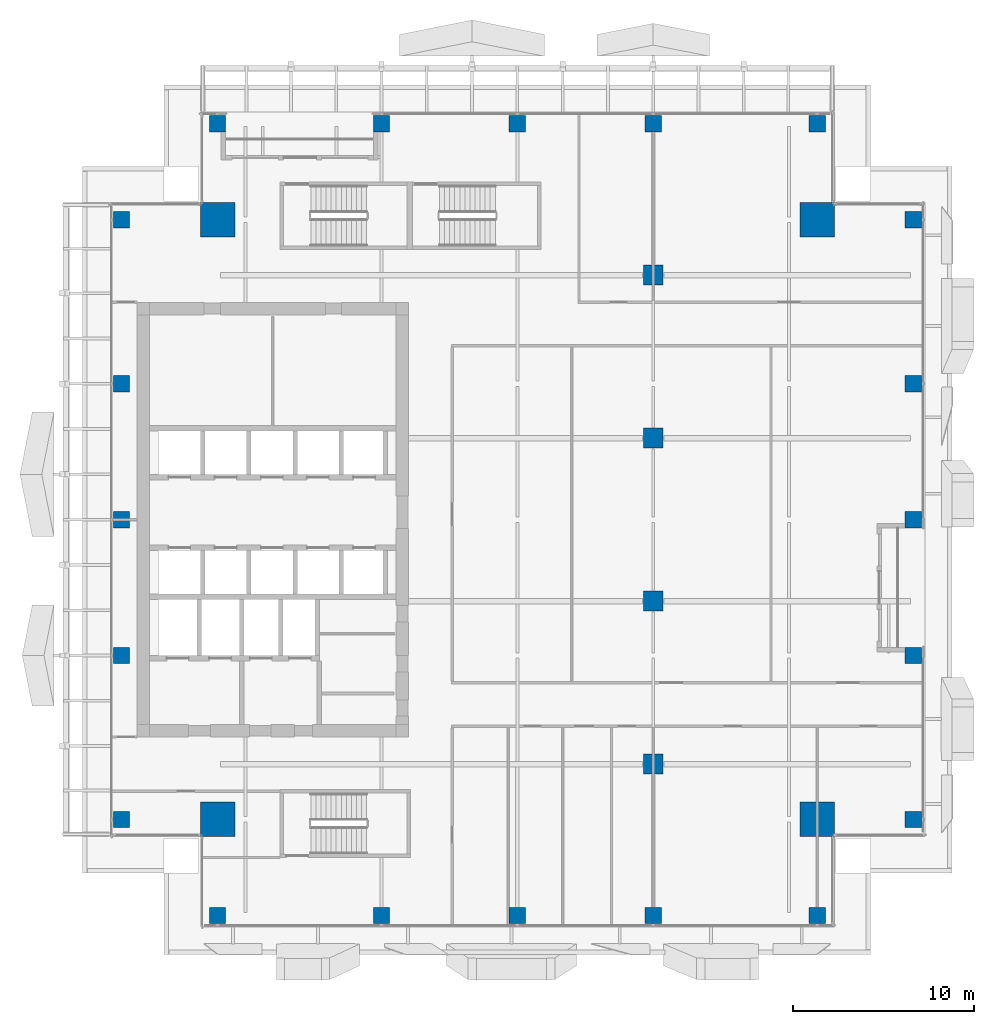
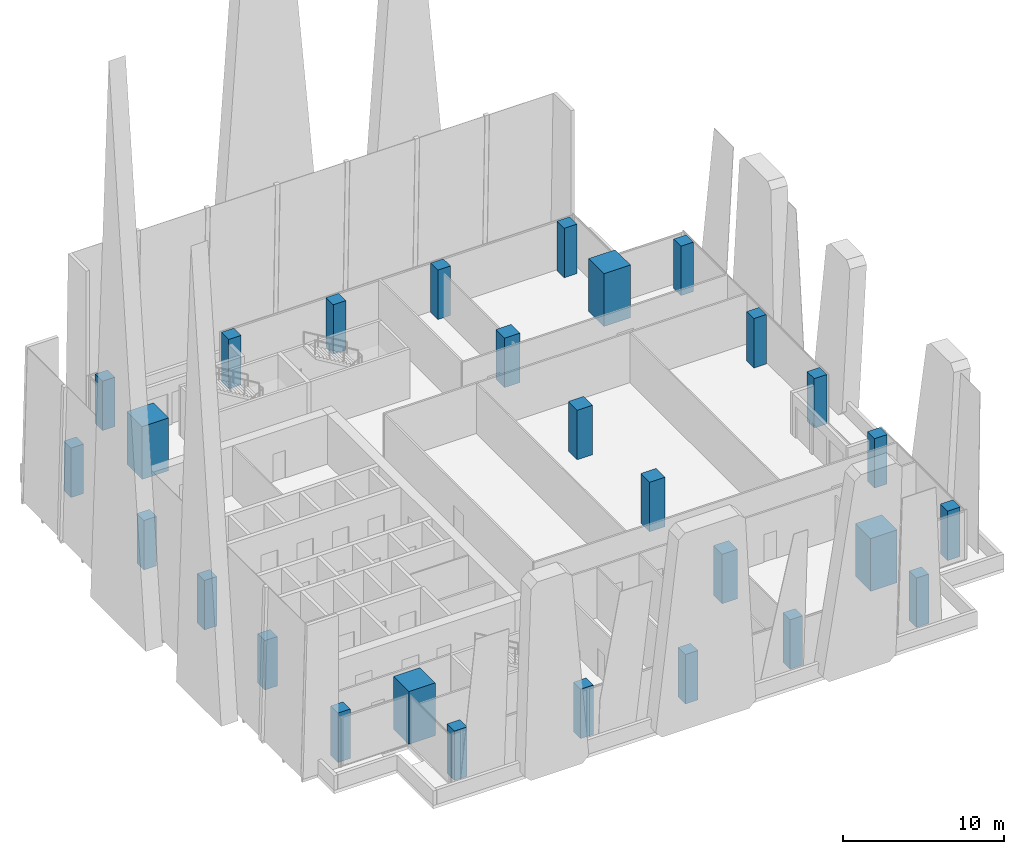
# One storey, part 1 of 33: 28 columns.
"""IFC4 building model written with IfcOpenShell, lengths in metres."""

from ifc_helpers import new_model, si_unit, direction, frame, origin, origin_2d, place, context, subcontext, project, spatial, rectangle, extrude, source, transform, mapped, material, material_profile, profile_set, type_object, element, save


model = new_model("IFC4")

# Units and contexts
model_context = context("Model", 3, precision=1e-05, world=origin(), true_north=direction((0.0, 1.0)))
body_context = subcontext(model_context, "Body", "Model", "MODEL_VIEW")
ifc_project = project(units=[si_unit("LENGTHUNIT", "METRE"), si_unit("AREAUNIT", "SQUARE_METRE"), si_unit("VOLUMEUNIT", "CUBIC_METRE"), si_unit("PLANEANGLEUNIT", "RADIAN"), si_unit("MASSUNIT", "GRAM", prefix="KILO")], contexts=[model_context])

# Site, building, storey
site_placement = place(None, origin())
site = spatial("IfcSite", under=ifc_project, at=site_placement, CompositionType="ELEMENT")
building_placement = place(site_placement, origin())
building = spatial("IfcBuilding", under=site, at=building_placement, Name="Khomas Fold Tower", CompositionType="ELEMENT")
storey_placement = place(building_placement, frame((0.0, 0.0, 222.199951171875)))
storey = spatial("IfcBuildingStorey", under=building, at=storey_placement, Name="L49", CompositionType="ELEMENT", Elevation=222.199951171875)

# Columns
ifc_material_1 = material(Name="Concrete C60/75", Category="concrete")
ifc_material_profile_1 = material_profile(ifc_material_1, rectangle(XDim=1.89990234375, YDim=1.89990234375, at=origin_2d()), Name="RC 1900x1900")
ifc_profile_set_1 = profile_set([ifc_material_profile_1], Name="Concrete C60/75")
column_type_1 = type_object("IfcColumnType", Name="RC 1900x1900 column", PredefinedType="COLUMN", material=ifc_profile_set_1)
shared_shape_1 = source(origin(), body_context, "Body", "SweptSolid", [
    extrude(rectangle(XDim=1.89990234375, YDim=1.89990234375, at=origin_2d()), origin(), (0.0, 0.0, 1.0), 4.0),
])
for number, where, z_axis, x_axis, name in (
    (1, (43.550048828125, 43.550048828125, 0.0), (0.0, 0.0, 1.0), (1.0, 0.0, 0.0), "CM-NE"),
    (2, (10.449951171875, 43.550048828125, 0.0), (0.0, 0.0, 1.0), (1.0, 0.0, 0.0), "CM-NW"),
    (3, (43.550048828125, 10.449951171875, 0.0), (0.0, 0.0, 1.0), (1.0, 0.0, 0.0), "CM-SE"),
    (4, (10.449951171875, 10.449951171875, 0.0), (0.0, 0.0, 1.0), (1.0, 0.0, 0.0), "CM-SW"),
):
    element("IfcColumn", number, at=place(storey_placement, frame(where, z_axis=z_axis, x_axis=x_axis)), inside=storey, type_object=column_type_1, Name=name, PredefinedType="COLUMN", context=body_context, shape_type="MappedRepresentation", body=[
        mapped(shared_shape_1, transform((0.0, 0.0, 0.0))),
    ])
ifc_material_2 = material(Name="Concrete C50/60", Category="concrete")
ifc_material_profile_2 = material_profile(ifc_material_2, rectangle(XDim=0.89990234375, YDim=0.89990234375, at=origin_2d()), Name="RC 900x900")
ifc_profile_set_2 = profile_set([ifc_material_profile_2], Name="Concrete C50/60")
column_type_2 = type_object("IfcColumnType", Name="RC 900x900 column", PredefinedType="COLUMN", material=ifc_profile_set_2)
shared_shape_2 = source(origin(), body_context, "Body", "SweptSolid", [
    extrude(rectangle(XDim=0.89990234375, YDim=0.89990234375, at=origin_2d()), origin(), (0.0, 0.0, 1.0), 3.75),
])
for number, where, z_axis, x_axis, name in (
    (5, (10.449951171875, 5.14990234375, 0.0), (0.0, 0.0, 1.0), (1.0, 0.0, 0.0), "C-5-SF4"),
    (6, (19.5, 5.14990234375, 0.0), (0.0, 0.0, 1.0), (1.0, 0.0, 0.0), "C-8-SF4"),
    (7, (27.0, 5.14990234375, 0.0), (0.0, 0.0, 1.0), (1.0, 0.0, 0.0), "C-9-SF4"),
    (8, (34.5, 5.14990234375, 0.0), (0.0, 0.0, 1.0), (1.0, 0.0, 0.0), "C-10-SF4"),
    (9, (43.550048828125, 5.14990234375, 0.0), (0.0, 0.0, 1.0), (1.0, 0.0, 0.0), "C-14-SF4"),
    (10, (48.85009765625, 10.449951171875, 0.0), (0.0, 0.0, 1.0), (1.0, 0.0, 0.0), "C-E4-E"),
    (11, (48.85009765625, 19.5, 0.0), (0.0, 0.0, 1.0), (1.0, 0.0, 0.0), "C-E4-J"),
    (12, (48.85009765625, 27.0, 0.0), (0.0, 0.0, 1.0), (1.0, 0.0, 0.0), "C-E4-L"),
    (13, (48.85009765625, 34.5, 0.0), (0.0, 0.0, 1.0), (1.0, 0.0, 0.0), "C-E4-N"),
    (14, (48.85009765625, 43.550048828125, 0.0), (0.0, 0.0, 1.0), (1.0, 0.0, 0.0), "C-E4-S"),
    (15, (10.449951171875, 48.85009765625, 0.0), (0.0, 0.0, 1.0), (1.0, 0.0, 0.0), "C-5-NF4"),
    (16, (19.5, 48.85009765625, 0.0), (0.0, 0.0, 1.0), (1.0, 0.0, 0.0), "C-8-NF4"),
    (17, (27.0, 48.85009765625, 0.0), (0.0, 0.0, 1.0), (1.0, 0.0, 0.0), "C-9-NF4"),
    (18, (34.5, 48.85009765625, 0.0), (0.0, 0.0, 1.0), (1.0, 0.0, 0.0), "C-10-NF4"),
    (19, (43.550048828125, 48.85009765625, 0.0), (0.0, 0.0, 1.0), (1.0, 0.0, 0.0), "C-14-NF4"),
    (20, (5.14990234375, 10.449951171875, 0.0), (0.0, 0.0, 1.0), (1.0, 0.0, 0.0), "C-W4-E"),
    (21, (5.14990234375, 19.5, 0.0), (0.0, 0.0, 1.0), (1.0, 0.0, 0.0), "C-W4-J"),
    (22, (5.14990234375, 27.0, 0.0), (0.0, 0.0, 1.0), (1.0, 0.0, 0.0), "C-W4-L"),
    (23, (5.14990234375, 34.5, 0.0), (0.0, 0.0, 1.0), (1.0, 0.0, 0.0), "C-W4-N"),
    (24, (5.14990234375, 43.550048828125, 0.0), (0.0, 0.0, 1.0), (1.0, 0.0, 0.0), "C-W4-S"),
):
    element("IfcColumn", number, at=place(storey_placement, frame(where, z_axis=z_axis, x_axis=x_axis)), inside=storey, type_object=column_type_2, Name=name, PredefinedType="COLUMN", context=body_context, shape_type="MappedRepresentation", body=[
        mapped(shared_shape_2, transform((0.0, 0.0, 0.0))),
    ])
ifc_material_3 = material(Name="Concrete C50/60", Category="concrete")
ifc_material_profile_3 = material_profile(ifc_material_3, rectangle(XDim=1.10009765625, YDim=1.10009765625, at=origin_2d()), Name="RC 1100x1100")
ifc_profile_set_3 = profile_set([ifc_material_profile_3], Name="Concrete C50/60")
column_type_3 = type_object("IfcColumnType", Name="RC 1100x1100 column", PredefinedType="COLUMN", material=ifc_profile_set_3)
shared_shape_3 = source(origin(), body_context, "Body", "SweptSolid", [
    extrude(rectangle(XDim=1.10009765625, YDim=1.10009765625, at=origin_2d()), origin(), (0.0, 0.0, 1.0), 3.75),
])
for number, where, z_axis, x_axis, name in (
    (25, (34.5, 13.5, 0.0), (0.0, 0.0, 1.0), (1.0, 0.0, 0.0), "C-10-H"),
    (26, (34.5, 22.5, 0.0), (0.0, 0.0, 1.0), (1.0, 0.0, 0.0), "C-10-K"),
    (27, (34.5, 31.5, 0.0), (0.0, 0.0, 1.0), (1.0, 0.0, 0.0), "C-10-M"),
    (28, (34.5, 40.5, 0.0), (0.0, 0.0, 1.0), (1.0, 0.0, 0.0), "C-10-P"),
):
    element("IfcColumn", number, at=place(storey_placement, frame(where, z_axis=z_axis, x_axis=x_axis)), inside=storey, type_object=column_type_3, Name=name, PredefinedType="COLUMN", context=body_context, shape_type="MappedRepresentation", body=[
        mapped(shared_shape_3, transform((0.0, 0.0, 0.0))),
    ])

save(model, "model.ifc")
